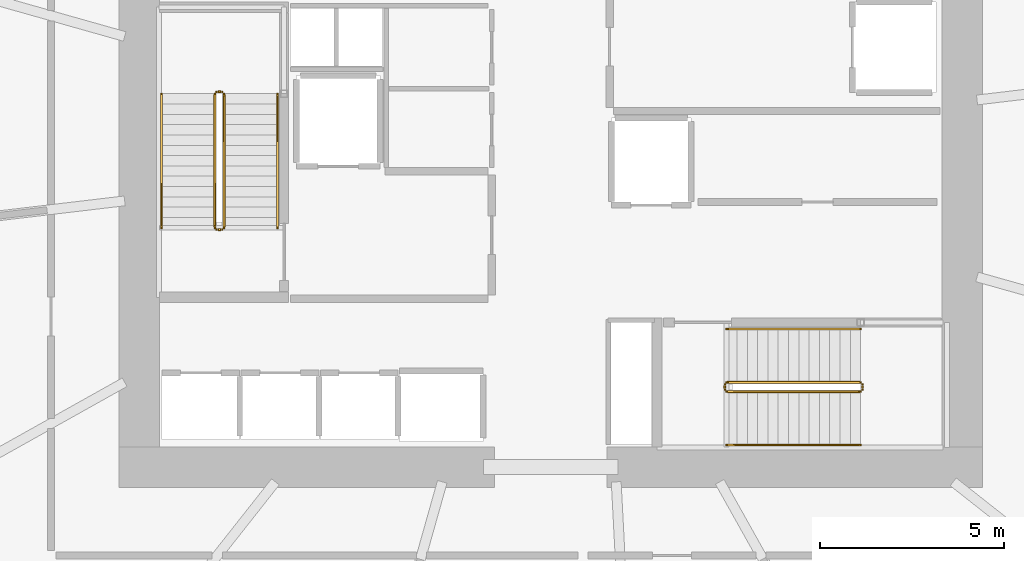
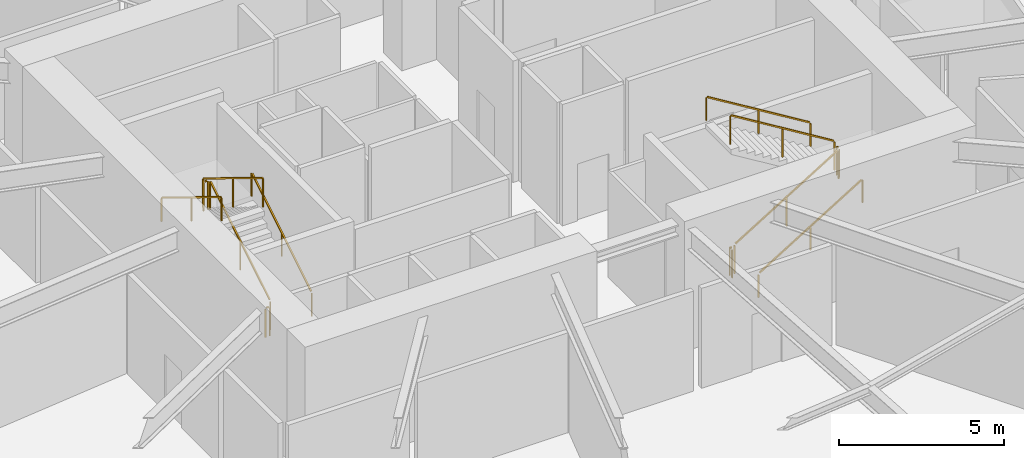
# One storey, part 21 of 22: 12 railings.
"""IFC4 building model written with IfcOpenShell, lengths in metres."""

from ifc_helpers import new_model, si_unit, direction, frame, origin, origin_2d, place, context, subcontext, project, spatial, rectangle, extrude, material, type_object, element, save


model = new_model("IFC4")

# Units and contexts
model_context = context("Model", 3, precision=1e-05, world=origin(), true_north=direction((0.0, 1.0)))
body_context = subcontext(model_context, "Body", "Model", "MODEL_VIEW")
ifc_project = project(units=[si_unit("LENGTHUNIT", "METRE"), si_unit("AREAUNIT", "SQUARE_METRE"), si_unit("VOLUMEUNIT", "CUBIC_METRE"), si_unit("PLANEANGLEUNIT", "RADIAN"), si_unit("MASSUNIT", "GRAM", prefix="KILO")], contexts=[model_context])

# Site, building, storey
site_placement = place(None, origin())
site = spatial("IfcSite", under=ifc_project, at=site_placement, CompositionType="ELEMENT")
building_placement = place(site_placement, origin())
building = spatial("IfcBuilding", under=site, at=building_placement, Name="Kazma Halo Residences", CompositionType="ELEMENT")
storey_placement = place(building_placement, frame((0.0, 0.0, 12.0)))
storey = spatial("IfcBuildingStorey", under=building, at=storey_placement, Name="L02", CompositionType="ELEMENT", Elevation=12.0)

# Railings
ifc_material_1 = material(Name="Painted Steel S355", Category="steel")
railing_type_1 = type_object("IfcRailingType", Name="RLG-STAIR-GRD-1100", PredefinedType="GUARDRAIL", material=ifc_material_1)
railing_1_placement = place(storey_placement, frame((39.550048828125, 39.949951171875, 0.17138671875)))
element("IfcRailing", 1, at=railing_1_placement, inside=storey, type_object=railing_type_1, Name="L02 ST-01 stair guard 1", PredefinedType="GUARDRAIL", context=body_context, shape_type="SweptSolid", body=[
    extrude(rectangle(XDim=0.050048828125, YDim=0.050048828125, at=origin_2d()), frame((0.0, 0.036376953125, 1.09716796875), z_axis=(0.0, 0.852865859571, 0.52213008492), x_axis=(-1.0, 0.0, 0.0)), (0.0, 0.0, 1.0), 4.18310546875),
    extrude(rectangle(XDim=0.0400390625, YDim=0.0400390625, at=origin_2d()), origin(), (0.0, 0.0, 1.0), 1.0380859375),
    extrude(rectangle(XDim=0.0400390625, YDim=0.0400390625, at=origin_2d()), frame((0.0, 1.820068359375, 1.1142578125)), (0.0, 0.0, 1.0), 1.0380859375),
    extrude(rectangle(XDim=0.0400390625, YDim=0.0400390625, at=origin_2d()), frame((0.0, 3.64013671875, 2.228515625)), (0.0, 0.0, 1.0), 1.0380859375),
])
railing_2_placement = place(storey_placement, frame((39.5, 43.639892578125, 2.39990234375)))
element("IfcRailing", 2, at=railing_2_placement, inside=storey, type_object=railing_type_1, Name="L02 ST-01 stair guard 2", PredefinedType="GUARDRAIL", context=body_context, shape_type="SweptSolid", body=[
    extrude(rectangle(XDim=0.050048828125, YDim=0.050048828125, at=origin_2d()), frame((-0.04248046875, 0.0, 1.0751953125), z_axis=(-1.0, 0.0, 0.0), x_axis=(0.0, -1.0, 0.0)), (0.0, 0.0, 1.0), 0.06494140625),
    extrude(rectangle(XDim=0.0400390625, YDim=0.0400390625, at=origin_2d()), origin(), (0.0, 0.0, 1.0), 1.0380859375),
    extrude(rectangle(XDim=0.0400390625, YDim=0.0400390625, at=origin_2d()), frame((-0.14990234375, 0.0, 0.0)), (0.0, 0.0, 1.0), 1.0380859375),
])
railing_3_placement = place(storey_placement, frame((39.300048828125, 43.590087890625, 2.571533203125)))
element("IfcRailing", 3, at=railing_3_placement, inside=storey, type_object=railing_type_1, Name="L02 ST-01 stair guard 3", PredefinedType="GUARDRAIL", context=body_context, shape_type="SweptSolid", body=[
    extrude(rectangle(XDim=0.050048828125, YDim=0.050048828125, at=origin_2d()), frame((0.0, -0.036376953125, 1.09716796875), z_axis=(0.0, -0.852865859571, 0.52213008492), x_axis=(1.0, 0.0, 0.0)), (0.0, 0.0, 1.0), 4.18310546875),
    extrude(rectangle(XDim=0.0400390625, YDim=0.0400390625, at=origin_2d()), origin(), (0.0, 0.0, 1.0), 1.0380859375),
    extrude(rectangle(XDim=0.0400390625, YDim=0.0400390625, at=origin_2d()), frame((0.0, -1.820068359375, 1.1142578125)), (0.0, 0.0, 1.0), 1.0380859375),
    extrude(rectangle(XDim=0.0400390625, YDim=0.0400390625, at=origin_2d()), frame((0.0, -3.64013671875, 2.228515625)), (0.0, 0.0, 1.0), 1.0380859375),
])
railing_4_placement = place(storey_placement, frame((39.5, 39.89990234375, 0.0)))
element("IfcRailing", 4, at=railing_4_placement, inside=storey, type_object=railing_type_1, Name="L02 ST-01 stair guard 4", PredefinedType="GUARDRAIL", context=body_context, shape_type="SweptSolid", body=[
    extrude(rectangle(XDim=0.050048828125, YDim=0.050048828125, at=origin_2d()), frame((-0.04248046875, 0.0, 1.0751953125), z_axis=(-1.0, 0.0, 0.0), x_axis=(0.0, -1.0, 0.0)), (0.0, 0.0, 1.0), 0.06494140625),
    extrude(rectangle(XDim=0.0400390625, YDim=0.0400390625, at=origin_2d()), origin(), (0.0, 0.0, 1.0), 1.0380859375),
    extrude(rectangle(XDim=0.0400390625, YDim=0.0400390625, at=origin_2d()), frame((-0.14990234375, 0.0, 0.0)), (0.0, 0.0, 1.0), 1.0380859375),
])
railing_5_placement = place(storey_placement, frame((53.199951171875, 35.5, 0.17138671875)))
element("IfcRailing", 5, at=railing_5_placement, inside=storey, type_object=railing_type_1, Name="L02 ST-03 stair guard 1", PredefinedType="GUARDRAIL", context=body_context, shape_type="SweptSolid", body=[
    extrude(rectangle(XDim=0.050048828125, YDim=0.050048828125, at=origin_2d()), frame((0.036376953125, 0.0, 1.09716796875), z_axis=(0.852865859571, 0.0, 0.52213008492), x_axis=(0.0, 1.0, 0.0)), (0.0, 0.0, 1.0), 4.18310546875),
    extrude(rectangle(XDim=0.0400390625, YDim=0.0400390625, at=origin_2d()), origin(), (0.0, 0.0, 1.0), 1.0380859375),
    extrude(rectangle(XDim=0.0400390625, YDim=0.0400390625, at=origin_2d()), frame((1.820068359375, 0.0, 1.1142578125)), (0.0, 0.0, 1.0), 1.0380859375),
    extrude(rectangle(XDim=0.0400390625, YDim=0.0400390625, at=origin_2d()), frame((3.64013671875, 0.0, 2.228515625)), (0.0, 0.0, 1.0), 1.0380859375),
])
railing_6_placement = place(storey_placement, frame((56.889892578125, 35.550048828125, 2.39990234375)))
element("IfcRailing", 6, at=railing_6_placement, inside=storey, type_object=railing_type_1, Name="L02 ST-03 stair guard 2", PredefinedType="GUARDRAIL", context=body_context, shape_type="SweptSolid", body=[
    extrude(rectangle(XDim=0.050048828125, YDim=0.050048828125, at=origin_2d()), frame((0.0, 0.04248046875, 1.0751953125), z_axis=(0.0, 1.0, 0.0), x_axis=(-1.0, 0.0, 0.0)), (0.0, 0.0, 1.0), 0.06494140625),
    extrude(rectangle(XDim=0.0400390625, YDim=0.0400390625, at=origin_2d()), origin(), (0.0, 0.0, 1.0), 1.0380859375),
    extrude(rectangle(XDim=0.0400390625, YDim=0.0400390625, at=origin_2d()), frame((0.0, 0.14990234375, 0.0)), (0.0, 0.0, 1.0), 1.0380859375),
])
railing_7_placement = place(storey_placement, frame((56.840087890625, 35.75, 2.571533203125)))
element("IfcRailing", 7, at=railing_7_placement, inside=storey, type_object=railing_type_1, Name="L02 ST-03 stair guard 3", PredefinedType="GUARDRAIL", context=body_context, shape_type="SweptSolid", body=[
    extrude(rectangle(XDim=0.050048828125, YDim=0.050048828125, at=origin_2d()), frame((-0.036376953125, 0.0, 1.09716796875), z_axis=(-0.852865859571, 0.0, 0.52213008492), x_axis=(0.0, -1.0, 0.0)), (0.0, 0.0, 1.0), 4.18310546875),
    extrude(rectangle(XDim=0.0400390625, YDim=0.0400390625, at=origin_2d()), origin(), (0.0, 0.0, 1.0), 1.0380859375),
    extrude(rectangle(XDim=0.0400390625, YDim=0.0400390625, at=origin_2d()), frame((-1.820068359375, 0.0, 1.1142578125)), (0.0, 0.0, 1.0), 1.0380859375),
    extrude(rectangle(XDim=0.0400390625, YDim=0.0400390625, at=origin_2d()), frame((-3.64013671875, 0.0, 2.228515625)), (0.0, 0.0, 1.0), 1.0380859375),
])
railing_8_placement = place(storey_placement, frame((53.14990234375, 35.550048828125, 0.0)))
element("IfcRailing", 8, at=railing_8_placement, inside=storey, type_object=railing_type_1, Name="L02 ST-03 stair guard 4", PredefinedType="GUARDRAIL", context=body_context, shape_type="SweptSolid", body=[
    extrude(rectangle(XDim=0.050048828125, YDim=0.050048828125, at=origin_2d()), frame((0.0, 0.04248046875, 1.0751953125), z_axis=(0.0, 1.0, 0.0), x_axis=(-1.0, 0.0, 0.0)), (0.0, 0.0, 1.0), 0.06494140625),
    extrude(rectangle(XDim=0.0400390625, YDim=0.0400390625, at=origin_2d()), origin(), (0.0, 0.0, 1.0), 1.0380859375),
    extrude(rectangle(XDim=0.0400390625, YDim=0.0400390625, at=origin_2d()), frame((0.0, 0.14990234375, 0.0)), (0.0, 0.0, 1.0), 1.0380859375),
])
ifc_material_2 = material(Name="Brushed Stainless Steel", Category="steel")
railing_type_2 = type_object("IfcRailingType", Name="RLG-STAIR-HND-900", PredefinedType="HANDRAIL", material=ifc_material_2)
railing_9_placement = place(storey_placement, frame((41.0, 39.949951171875, 0.17138671875)))
element("IfcRailing", 9, at=railing_9_placement, inside=storey, type_object=railing_type_2, Name="L02 ST-01 stair handrail 1", PredefinedType="HANDRAIL", context=body_context, shape_type="SweptSolid", body=[
    extrude(rectangle(XDim=0.050048828125, YDim=0.050048828125, at=origin_2d()), frame((0.0, 0.036376953125, 0.89697265625), z_axis=(0.0, 0.852865859571, 0.52213008492), x_axis=(-1.0, 0.0, 0.0)), (0.0, 0.0, 1.0), 4.18310546875),
    extrude(rectangle(XDim=0.0400390625, YDim=0.0400390625, at=origin_2d()), origin(), (0.0, 0.0, 1.0), 0.837890625),
    extrude(rectangle(XDim=0.0400390625, YDim=0.0400390625, at=origin_2d()), frame((0.0, 1.820068359375, 1.1142578125)), (0.0, 0.0, 1.0), 0.837890625),
    extrude(rectangle(XDim=0.0400390625, YDim=0.0400390625, at=origin_2d()), frame((0.0, 3.64013671875, 2.228515625)), (0.0, 0.0, 1.0), 0.837890625),
])
railing_10_placement = place(storey_placement, frame((37.85009765625, 43.590087890625, 2.571533203125)))
element("IfcRailing", 10, at=railing_10_placement, inside=storey, type_object=railing_type_2, Name="L02 ST-01 stair handrail 2", PredefinedType="HANDRAIL", context=body_context, shape_type="SweptSolid", body=[
    extrude(rectangle(XDim=0.050048828125, YDim=0.050048828125, at=origin_2d()), frame((0.0, -0.036376953125, 0.89697265625), z_axis=(0.0, -0.852865859571, 0.52213008492), x_axis=(1.0, 0.0, 0.0)), (0.0, 0.0, 1.0), 4.18310546875),
    extrude(rectangle(XDim=0.0400390625, YDim=0.0400390625, at=origin_2d()), origin(), (0.0, 0.0, 1.0), 0.837890625),
    extrude(rectangle(XDim=0.0400390625, YDim=0.0400390625, at=origin_2d()), frame((0.0, -1.820068359375, 1.1142578125)), (0.0, 0.0, 1.0), 0.837890625),
    extrude(rectangle(XDim=0.0400390625, YDim=0.0400390625, at=origin_2d()), frame((0.0, -3.64013671875, 2.228515625)), (0.0, 0.0, 1.0), 0.837890625),
])
railing_11_placement = place(storey_placement, frame((53.199951171875, 34.050048828125, 0.17138671875)))
element("IfcRailing", 11, at=railing_11_placement, inside=storey, type_object=railing_type_2, Name="L02 ST-03 stair handrail 1", PredefinedType="HANDRAIL", context=body_context, shape_type="SweptSolid", body=[
    extrude(rectangle(XDim=0.050048828125, YDim=0.050048828125, at=origin_2d()), frame((0.036376953125, 0.0, 0.89697265625), z_axis=(0.852865859571, 0.0, 0.52213008492), x_axis=(0.0, 1.0, 0.0)), (0.0, 0.0, 1.0), 4.18310546875),
    extrude(rectangle(XDim=0.0400390625, YDim=0.0400390625, at=origin_2d()), origin(), (0.0, 0.0, 1.0), 0.837890625),
    extrude(rectangle(XDim=0.0400390625, YDim=0.0400390625, at=origin_2d()), frame((1.820068359375, 0.0, 1.1142578125)), (0.0, 0.0, 1.0), 0.837890625),
    extrude(rectangle(XDim=0.0400390625, YDim=0.0400390625, at=origin_2d()), frame((3.64013671875, 0.0, 2.228515625)), (0.0, 0.0, 1.0), 0.837890625),
])
railing_12_placement = place(storey_placement, frame((56.840087890625, 37.199951171875, 2.571533203125)))
element("IfcRailing", 12, at=railing_12_placement, inside=storey, type_object=railing_type_2, Name="L02 ST-03 stair handrail 2", PredefinedType="HANDRAIL", context=body_context, shape_type="SweptSolid", body=[
    extrude(rectangle(XDim=0.050048828125, YDim=0.050048828125, at=origin_2d()), frame((-0.036376953125, 0.0, 0.89697265625), z_axis=(-0.852865859571, 0.0, 0.52213008492), x_axis=(0.0, -1.0, 0.0)), (0.0, 0.0, 1.0), 4.18310546875),
    extrude(rectangle(XDim=0.0400390625, YDim=0.0400390625, at=origin_2d()), origin(), (0.0, 0.0, 1.0), 0.837890625),
    extrude(rectangle(XDim=0.0400390625, YDim=0.0400390625, at=origin_2d()), frame((-1.820068359375, 0.0, 1.1142578125)), (0.0, 0.0, 1.0), 0.837890625),
    extrude(rectangle(XDim=0.0400390625, YDim=0.0400390625, at=origin_2d()), frame((-3.64013671875, 0.0, 2.228515625)), (0.0, 0.0, 1.0), 0.837890625),
])

save(model, "model.ifc")
